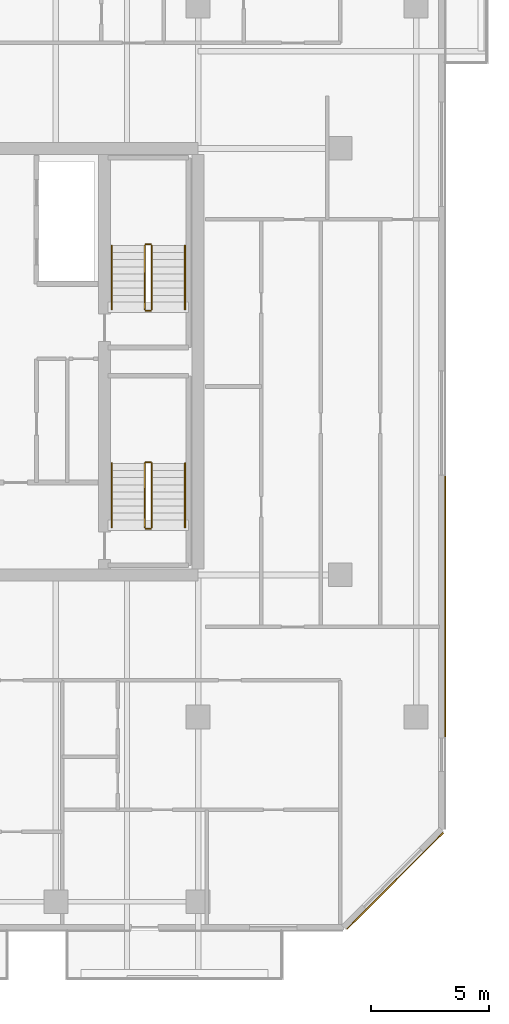
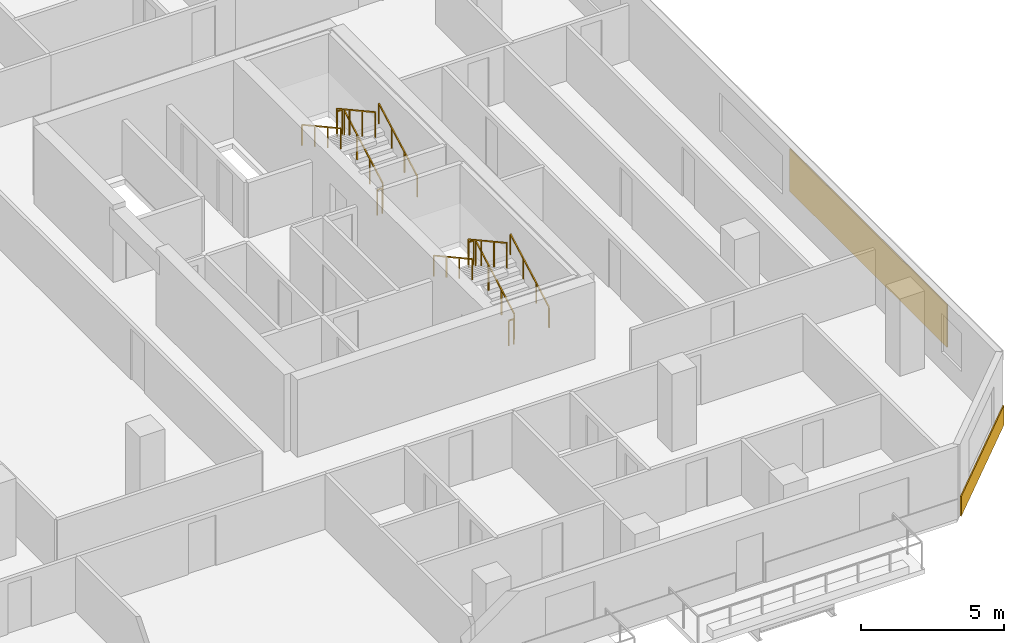
# One storey, part 22 of 23: 12 railings, 2 coverings.
"""IFC4 building model written with IfcOpenShell, lengths in metres."""

import ifcopenshell
import ifcopenshell.guid

model = None  # the IFC model being written
_history = None  # IfcOwnerHistory: only IFC2X3 demands one
_inside = {}  # id of a spatial element -> (the spatial element, [elements in it])
_under = {}  # id of a project, library or spatial element -> (it, [spatial elements below it])
_declared = {}  # id of a project -> (the project, [libraries it declares])
_typed = {}  # id of a type object -> (the type object, [elements of that type])
_made_of = {}  # id of a material, layer set ... -> (it, [elements and type objects made of it])


def new_model(schema):
    """Start an empty IFC model of exactly this schema.

    Asked for "IFC4X3", IfcOpenShell would pick the latest addendum, in which some entities
    have other attributes; the version numbers below select the first issue.
    IFC2X3 requires an IfcOwnerHistory on every rooted entity: one is made here for all.
    """
    global model, _history
    if schema == "IFC4X3":
        model = ifcopenshell.file(schema_version=(4, 3, 0, 0))
    else:
        model = ifcopenshell.file(schema=schema)
    _inside.clear()
    _under.clear()
    _declared.clear()
    _typed.clear()
    _made_of.clear()
    _history = None
    if model.schema == "IFC2X3":
        org = make("IfcOrganization", Name="unknown")
        user = make(
            "IfcPersonAndOrganization",
            ThePerson=make("IfcPerson", FamilyName="unknown"),
            TheOrganization=org,
        )
        app = make(
            "IfcApplication",
            ApplicationDeveloper=org,
            Version="unknown",
            ApplicationFullName="unknown",
            ApplicationIdentifier="unknown",
        )
        _history = make(
            "IfcOwnerHistory",
            OwningUser=user,
            OwningApplication=app,
            ChangeAction="ADDED",
            CreationDate=0,
        )
    return model


def make(cls, **values):
    """One entity of the class cls with the attributes given. An attribute that is None is left unset."""
    return model.create_entity(
        cls, **{name: value for name, value in values.items() if value is not None}
    )


def rooted(cls, **values):
    """An entity with a GlobalId (a new one), such as an element, a storey or a relation."""
    return make(cls, GlobalId=ifcopenshell.guid.new(), OwnerHistory=_history, **values)


def si_unit(unit_type, name, prefix=None):
    """IfcSIUnit, for example si_unit("LENGTHUNIT", "METRE", prefix="MILLI")."""
    return make("IfcSIUnit", UnitType=unit_type, Prefix=prefix, Name=name)


def assignment(units):
    """IfcUnitAssignment: the units of a project."""
    return None if units is None else make("IfcUnitAssignment", Units=units)


def point(xyz):
    """IfcCartesianPoint."""
    return None if xyz is None else make("IfcCartesianPoint", Coordinates=xyz)


def direction(xyz):
    """IfcDirection."""
    return None if xyz is None else make("IfcDirection", DirectionRatios=xyz)


def frame(location, z_axis=None, x_axis=None):
    """IfcAxis2Placement3D, a coordinate frame: its origin and axes. An axis left out is left unset."""
    return make(
        "IfcAxis2Placement3D",
        Location=point(location),
        Axis=direction(z_axis),
        RefDirection=direction(x_axis),
    )


def frame_2d(location, x_axis=None):
    """IfcAxis2Placement2D, a coordinate frame in the plane: its origin and x axis."""
    return make(
        "IfcAxis2Placement2D", Location=point(location), RefDirection=direction(x_axis)
    )


def origin():
    """The frame at (0, 0, 0) with its axes left unset."""
    return frame((0.0, 0.0, 0.0))


def origin_2d():
    """The frame at (0, 0) in the plane with its x axis left unset."""
    return frame_2d((0.0, 0.0))


def place(relative_to, where):
    """IfcLocalPlacement: puts the frame where relative to a parent placement (None: the world)."""
    return make(
        "IfcLocalPlacement", PlacementRelTo=relative_to, RelativePlacement=where
    )


def context(
    kind, dimensions, precision=None, world=None, true_north=None, identifier=None
):
    """IfcGeometricRepresentationContext, for example the 3D "Model" context."""
    return make(
        "IfcGeometricRepresentationContext",
        ContextIdentifier=identifier,
        ContextType=kind,
        CoordinateSpaceDimension=dimensions,
        Precision=precision,
        WorldCoordinateSystem=world,
        TrueNorth=true_north,
    )


def subcontext(parent, identifier, kind, view, scale=None):
    """IfcGeometricRepresentationSubContext, for example "Body" below "Model"."""
    return make(
        "IfcGeometricRepresentationSubContext",
        ContextIdentifier=identifier,
        ContextType=kind,
        ParentContext=parent,
        TargetScale=scale,
        TargetView=view,
    )


def project(units=None, contexts=None):
    """IfcProject with its units and contexts."""
    return rooted(
        "IfcProject",
        Name="project",
        RepresentationContexts=contexts,
        UnitsInContext=assignment(units),
    )


def spatial(cls, under=None, at=None, **own):
    """A site, building, storey or space (cls), placed at a placement, below another one or the project."""
    s = rooted(cls, ObjectPlacement=at, **own)
    if under is not None:
        _under.setdefault(under.id(), (under, []))[1].append(s)
    return s


def profile(cls, at=None, kind="AREA", **sizes):
    """A parametric profile (cls). Its sizes go by their IFC names, for example OverallWidth=200.0."""
    return make(cls, ProfileType=kind, Position=at, **sizes)


def rectangle(**sizes):
    """IfcRectangleProfileDef."""
    return profile("IfcRectangleProfileDef", **sizes)


def extrude(swept, where, along, depth):
    """IfcExtrudedAreaSolid: the profile swept, set in the frame where, extruded along a direction by depth."""
    return make(
        "IfcExtrudedAreaSolid",
        SweptArea=swept,
        Position=where,
        ExtrudedDirection=direction(along),
        Depth=depth,
    )


def shape(context_of_items, identifier, shape_type, items):
    """IfcShapeRepresentation: the items that make up one representation, for example the "Body"."""
    return make(
        "IfcShapeRepresentation",
        ContextOfItems=context_of_items,
        RepresentationIdentifier=identifier,
        RepresentationType=shape_type,
        Items=items,
    )


def material(Name=None, Category=None):
    """IfcMaterial."""
    return make("IfcMaterial", Name=Name, Category=Category)


def layer(
    of_material, thickness, ventilated=None, Name=None, Category=None, Priority=None
):
    """IfcMaterialLayer: one layer of a wall or slab, of a material (None: an air gap)."""
    return make(
        "IfcMaterialLayer",
        Material=of_material,
        LayerThickness=thickness,
        IsVentilated=ventilated,
        Name=Name,
        Category=Category,
        Priority=Priority,
    )


def layer_set(layers, Name=None):
    """IfcMaterialLayerSet."""
    return make("IfcMaterialLayerSet", MaterialLayers=layers, LayerSetName=Name)


def made_of(thing, what):
    """Note that an element or type object is made of a material, layer set ...; save() writes the relation."""
    if what is not None:
        _made_of.setdefault(what.id(), (what, []))[1].append(thing)
    return thing


def type_object(cls, material=None, **own):
    """A type object (cls), such as IfcWallType, which elements share."""
    return made_of(rooted(cls, **own), material)


def element(
    cls,
    number,
    at=None,
    inside=None,
    cuts=None,
    type_object=None,
    material=None,
    context=None,
    identifier="Body",
    shape_type=None,
    held_by="IfcProductDefinitionShape",
    body=None,
    shapes=None,
    **own,
):
    """One element of the class cls, such as IfcWall. Its Tag is "e" and its number.

    at: its placement. inside: the storey or other place that contains it. cuts: it is an
    opening in that element (IfcRelVoidsElement). A single representation is given by context,
    identifier, shape_type and body (its items); several are given by shapes. held_by: the class
    of the entity that holds the representations. save() writes the other relations.
    """
    e = rooted(cls, Tag="e%d" % number, ObjectPlacement=at, **own)
    if body is not None:
        shapes = [shape(context, identifier, shape_type, body)]
    if shapes is not None:
        e.Representation = make(held_by, Representations=shapes)
    if inside is not None:
        _inside.setdefault(inside.id(), (inside, []))[1].append(e)
    if cuts is not None:
        rooted(
            "IfcRelVoidsElement", RelatingBuildingElement=cuts, RelatedOpeningElement=e
        )
    if type_object is not None:
        _typed.setdefault(type_object.id(), (type_object, []))[1].append(e)
    return made_of(e, material)


def aggregate(whole, parts):
    """IfcRelAggregates: a whole, such as a stair, and the parts it consists of."""
    return rooted("IfcRelAggregates", RelatingObject=whole, RelatedObjects=parts)


def save(model, path):
    """Write the relations noted so far, then the file.

    IfcRelAggregates (storeys below a building ...), IfcRelContainedInSpatialStructure (elements
    in a storey), IfcRelDefinesByType, IfcRelAssociatesMaterial and IfcRelDeclares: one each for
    every whole, place, type object, material and project.
    """
    for whole, parts in _under.values():
        aggregate(whole, parts)
    for where, things in _inside.values():
        rooted(
            "IfcRelContainedInSpatialStructure",
            RelatedElements=things,
            RelatingStructure=where,
        )
    for kind, things in _typed.values():
        rooted("IfcRelDefinesByType", RelatedObjects=things, RelatingType=kind)
    for what, things in _made_of.values():
        rooted("IfcRelAssociatesMaterial", RelatedObjects=things, RelatingMaterial=what)
    for by, libraries in _declared.values():
        rooted("IfcRelDeclares", RelatingContext=by, RelatedDefinitions=libraries)
    model.write(path)


model = new_model("IFC4")

# Units and contexts
model_context = context("Model", 3, precision=1e-05, world=origin(), true_north=direction((0.0, 1.0)))
body_context = subcontext(model_context, "Body", "Model", "MODEL_VIEW")
ifc_project = project(units=[si_unit("LENGTHUNIT", "METRE"), si_unit("AREAUNIT", "SQUARE_METRE"), si_unit("VOLUMEUNIT", "CUBIC_METRE"), si_unit("PLANEANGLEUNIT", "RADIAN"), si_unit("MASSUNIT", "GRAM", prefix="KILO")], contexts=[model_context])

# Site, building, storey
site_placement = place(None, origin())
site = spatial("IfcSite", under=ifc_project, at=site_placement, CompositionType="ELEMENT")
building_placement = place(site_placement, origin())
building = spatial("IfcBuilding", under=site, at=building_placement, Name="Tanjung Sevakor Pilgrim Tower", CompositionType="ELEMENT")
storey_placement = place(building_placement, frame((0.0, 0.0, 88.77001953125)))
storey = spatial("IfcBuildingStorey", under=building, at=storey_placement, Name="L24", CompositionType="ELEMENT", Elevation=88.77001953125)

# Coverings
ifc_material_1 = material(Name="Reconstructed Limestone Cladding", Category="masonry")
ifc_layer = layer(ifc_material_1, 0.044921875)
ifc_layer_set = layer_set([ifc_layer], Name="COV-CLAD-LIMESTONE")
covering_type = type_object("IfcCoveringType", Name="COV-CLAD-LIMESTONE", PredefinedType="CLADDING", material=ifc_layer_set)
covering_1_placement = place(storey_placement, frame((98.31591796875, 11.68408203125, 0.009765625), z_axis=(0.0, 0.0, 1.0), x_axis=(0.707106781187, 0.707106781187, 0.0)))
element("IfcCovering", 1, at=covering_1_placement, inside=storey, type_object=covering_type, Name="L24 Warm Limestone Sill Spandrel EW-CHM-L24-MAIN-5-1", PredefinedType="CLADDING", context=body_context, shape_type="SweptSolid", body=[
    extrude(rectangle(XDim=5.756103515625, YDim=0.044921875, at=origin_2d()), origin(), (0.0, 0.0, 1.0), 0.840087890625),
])
covering_2_placement = place(storey_placement, frame((100.422607421875, 23.258056640625, 0.849853515625), z_axis=(0.0, 0.0, 1.0), x_axis=(0.0, 1.0, 0.0)))
element("IfcCovering", 2, at=covering_2_placement, inside=storey, type_object=covering_type, Name="L24 Warm Limestone Pier Panel EW-L24-MAIN-7-1", PredefinedType="CLADDING", context=body_context, shape_type="SweptSolid", body=[
    extrude(rectangle(XDim=11.004150390625, YDim=0.044921875, at=origin_2d()), origin(), (0.0, 0.0, 1.0), 1.81005859375),
])

# Railings
ifc_material_2 = material(Name="Steel S355J2", Category="steel")
railing_type_1 = type_object("IfcRailingType", Name="RL-STAIR-GUARD", PredefinedType="GUARDRAIL", material=ifc_material_2)
railing_1_placement = place(storey_placement, frame((88.050048828125, 26.60009765625, 0.1650390625)))
element("IfcRailing", 3, at=railing_1_placement, inside=storey, type_object=railing_type_1, Name="L24 TS-E1 stair guard 1", PredefinedType="GUARDRAIL", context=body_context, shape_type="SweptSolid", body=[
    extrude(rectangle(XDim=0.0479, YDim=0.0479), frame((0.0, 0.0, 1.076171875), z_axis=(0.0, 0.876230963923, 0.481891375584), x_axis=(-1.0, 0.0, 0.0)), (0.0, 0.0, 1.0), 3.081298828125),
    extrude(rectangle(XDim=0.042, YDim=0.042), origin(), (0.0, 0.0, 1.0), 1.052001953125),
    extrude(rectangle(XDim=0.042, YDim=0.042), frame((0.0, 0.89990234375, 0.494873046875)), (0.0, 0.0, 1.0), 1.052001953125),
    extrude(rectangle(XDim=0.042, YDim=0.042), frame((0.0, 1.800048828125, 0.989990234375)), (0.0, 0.0, 1.0), 1.052001953125),
    extrude(rectangle(XDim=0.042, YDim=0.042), frame((0.0, 2.699951171875, 1.48486328125)), (0.0, 0.0, 1.0), 1.052001953125),
])
railing_2_placement = place(storey_placement, frame((88.0, 29.35009765625, 1.64990234375)))
element("IfcRailing", 4, at=railing_2_placement, inside=storey, type_object=railing_type_1, Name="L24 TS-E1 stair guard 2", PredefinedType="GUARDRAIL", context=body_context, shape_type="SweptSolid", body=[
    extrude(rectangle(XDim=0.0479, YDim=0.0479), frame((0.0, 0.0, 1.076171875), z_axis=(-1.0, 0.0, 0.0), x_axis=(0.0, -1.0, 0.0)), (0.0, 0.0, 1.0), 0.199951171875),
    extrude(rectangle(XDim=0.042, YDim=0.042), origin(), (0.0, 0.0, 1.0), 1.052001953125),
    extrude(rectangle(XDim=0.042, YDim=0.042), frame((-0.199951171875, 0.0, 0.0)), (0.0, 0.0, 1.0), 1.052001953125),
])
railing_3_placement = place(storey_placement, frame((87.75, 29.300048828125, 1.81494140625)))
element("IfcRailing", 5, at=railing_3_placement, inside=storey, type_object=railing_type_1, Name="L24 TS-E1 stair guard 3", PredefinedType="GUARDRAIL", context=body_context, shape_type="SweptSolid", body=[
    extrude(rectangle(XDim=0.0479, YDim=0.0479), frame((0.0, 0.0, 1.076171875), z_axis=(0.0, -0.876197507361, 0.481952205197), x_axis=(1.0, 0.0, 0.0)), (0.0, 0.0, 1.0), 3.08154296875),
    extrude(rectangle(XDim=0.042, YDim=0.042), origin(), (0.0, 0.0, 1.0), 1.052001953125),
    extrude(rectangle(XDim=0.042, YDim=0.042), frame((0.0, -0.89990234375, 0.4951171875)), (0.0, 0.0, 1.0), 1.052001953125),
    extrude(rectangle(XDim=0.042, YDim=0.042), frame((0.0, -1.800048828125, 0.989990234375)), (0.0, 0.0, 1.0), 1.052001953125),
    extrude(rectangle(XDim=0.042, YDim=0.042), frame((0.0, -2.699951171875, 1.485107421875)), (0.0, 0.0, 1.0), 1.052001953125),
])
railing_4_placement = place(storey_placement, frame((88.0, 26.550048828125, 0.0)))
element("IfcRailing", 6, at=railing_4_placement, inside=storey, type_object=railing_type_1, Name="L24 TS-E1 stair guard 4", PredefinedType="GUARDRAIL", context=body_context, shape_type="SweptSolid", body=[
    extrude(rectangle(XDim=0.0479, YDim=0.0479), frame((0.0, 0.0, 1.076171875), z_axis=(-1.0, 0.0, 0.0), x_axis=(0.0, -1.0, 0.0)), (0.0, 0.0, 1.0), 0.199951171875),
    extrude(rectangle(XDim=0.042, YDim=0.042), origin(), (0.0, 0.0, 1.0), 1.052001953125),
    extrude(rectangle(XDim=0.042, YDim=0.042), frame((-0.199951171875, 0.0, 0.0)), (0.0, 0.0, 1.0), 1.052001953125),
])
railing_5_placement = place(storey_placement, frame((88.050048828125, 35.800048828125, 0.1650390625)))
element("IfcRailing", 7, at=railing_5_placement, inside=storey, type_object=railing_type_1, Name="L24 TS-E2 stair guard 1", PredefinedType="GUARDRAIL", context=body_context, shape_type="SweptSolid", body=[
    extrude(rectangle(XDim=0.0479, YDim=0.0479), frame((0.0, 0.0, 1.076171875), z_axis=(0.0, 0.876230963923, 0.481891375584), x_axis=(-1.0, 0.0, 0.0)), (0.0, 0.0, 1.0), 3.081298828125),
    extrude(rectangle(XDim=0.042, YDim=0.042), origin(), (0.0, 0.0, 1.0), 1.052001953125),
    extrude(rectangle(XDim=0.042, YDim=0.042), frame((0.0, 0.89990234375, 0.494873046875)), (0.0, 0.0, 1.0), 1.052001953125),
    extrude(rectangle(XDim=0.042, YDim=0.042), frame((0.0, 1.800048828125, 0.989990234375)), (0.0, 0.0, 1.0), 1.052001953125),
    extrude(rectangle(XDim=0.042, YDim=0.042), frame((0.0, 2.699951171875, 1.48486328125)), (0.0, 0.0, 1.0), 1.052001953125),
])
railing_6_placement = place(storey_placement, frame((88.0, 38.550048828125, 1.64990234375)))
element("IfcRailing", 8, at=railing_6_placement, inside=storey, type_object=railing_type_1, Name="L24 TS-E2 stair guard 2", PredefinedType="GUARDRAIL", context=body_context, shape_type="SweptSolid", body=[
    extrude(rectangle(XDim=0.0479, YDim=0.0479), frame((0.0, 0.0, 1.076171875), z_axis=(-1.0, 0.0, 0.0), x_axis=(0.0, -1.0, 0.0)), (0.0, 0.0, 1.0), 0.199951171875),
    extrude(rectangle(XDim=0.042, YDim=0.042), origin(), (0.0, 0.0, 1.0), 1.052001953125),
    extrude(rectangle(XDim=0.042, YDim=0.042), frame((-0.199951171875, 0.0, 0.0)), (0.0, 0.0, 1.0), 1.052001953125),
])
railing_7_placement = place(storey_placement, frame((87.75, 38.5, 1.81494140625)))
element("IfcRailing", 9, at=railing_7_placement, inside=storey, type_object=railing_type_1, Name="L24 TS-E2 stair guard 3", PredefinedType="GUARDRAIL", context=body_context, shape_type="SweptSolid", body=[
    extrude(rectangle(XDim=0.0479, YDim=0.0479), frame((0.0, 0.0, 1.076171875), z_axis=(0.0, -0.876197507361, 0.481952205197), x_axis=(1.0, 0.0, 0.0)), (0.0, 0.0, 1.0), 3.08154296875),
    extrude(rectangle(XDim=0.042, YDim=0.042), origin(), (0.0, 0.0, 1.0), 1.052001953125),
    extrude(rectangle(XDim=0.042, YDim=0.042), frame((0.0, -0.89990234375, 0.4951171875)), (0.0, 0.0, 1.0), 1.052001953125),
    extrude(rectangle(XDim=0.042, YDim=0.042), frame((0.0, -1.800048828125, 0.989990234375)), (0.0, 0.0, 1.0), 1.052001953125),
    extrude(rectangle(XDim=0.042, YDim=0.042), frame((0.0, -2.699951171875, 1.485107421875)), (0.0, 0.0, 1.0), 1.052001953125),
])
railing_8_placement = place(storey_placement, frame((88.0, 35.75, 0.0)))
element("IfcRailing", 10, at=railing_8_placement, inside=storey, type_object=railing_type_1, Name="L24 TS-E2 stair guard 4", PredefinedType="GUARDRAIL", context=body_context, shape_type="SweptSolid", body=[
    extrude(rectangle(XDim=0.0479, YDim=0.0479), frame((0.0, 0.0, 1.076171875), z_axis=(-1.0, 0.0, 0.0), x_axis=(0.0, -1.0, 0.0)), (0.0, 0.0, 1.0), 0.199951171875),
    extrude(rectangle(XDim=0.042, YDim=0.042), origin(), (0.0, 0.0, 1.0), 1.052001953125),
    extrude(rectangle(XDim=0.042, YDim=0.042), frame((-0.199951171875, 0.0, 0.0)), (0.0, 0.0, 1.0), 1.052001953125),
])
ifc_material_3 = material(Name="Steel S355J2", Category="steel")
railing_type_2 = type_object("IfcRailingType", Name="RL-STAIR-HAND", PredefinedType="HANDRAIL", material=ifc_material_3)
railing_9_placement = place(storey_placement, frame((89.449951171875, 26.60009765625, 0.1650390625)))
element("IfcRailing", 11, at=railing_9_placement, inside=storey, type_object=railing_type_2, Name="L24 TS-E1 stair handrail 1", PredefinedType="HANDRAIL", context=body_context, shape_type="SweptSolid", body=[
    extrude(rectangle(XDim=0.0479, YDim=0.0479), frame((0.0, 0.0, 0.8759765625), z_axis=(0.0, 0.876230963923, 0.481891375584), x_axis=(-1.0, 0.0, 0.0)), (0.0, 0.0, 1.0), 3.081298828125),
    extrude(rectangle(XDim=0.042, YDim=0.042), origin(), (0.0, 0.0, 1.0), 0.851806640625),
    extrude(rectangle(XDim=0.042, YDim=0.042), frame((0.0, 0.89990234375, 0.494873046875)), (0.0, 0.0, 1.0), 0.851806640625),
    extrude(rectangle(XDim=0.042, YDim=0.042), frame((0.0, 1.800048828125, 0.989990234375)), (0.0, 0.0, 1.0), 0.851806640625),
    extrude(rectangle(XDim=0.042, YDim=0.042), frame((0.0, 2.699951171875, 1.48486328125)), (0.0, 0.0, 1.0), 0.851806640625),
])
railing_10_placement = place(storey_placement, frame((86.35009765625, 29.300048828125, 1.81494140625)))
element("IfcRailing", 12, at=railing_10_placement, inside=storey, type_object=railing_type_2, Name="L24 TS-E1 stair handrail 2", PredefinedType="HANDRAIL", context=body_context, shape_type="SweptSolid", body=[
    extrude(rectangle(XDim=0.0479, YDim=0.0479), frame((0.0, 0.0, 0.8759765625), z_axis=(0.0, -0.876197507361, 0.481952205197), x_axis=(1.0, 0.0, 0.0)), (0.0, 0.0, 1.0), 3.08154296875),
    extrude(rectangle(XDim=0.042, YDim=0.042), origin(), (0.0, 0.0, 1.0), 0.851806640625),
    extrude(rectangle(XDim=0.042, YDim=0.042), frame((0.0, -0.89990234375, 0.4951171875)), (0.0, 0.0, 1.0), 0.851806640625),
    extrude(rectangle(XDim=0.042, YDim=0.042), frame((0.0, -1.800048828125, 0.989990234375)), (0.0, 0.0, 1.0), 0.851806640625),
    extrude(rectangle(XDim=0.042, YDim=0.042), frame((0.0, -2.699951171875, 1.485107421875)), (0.0, 0.0, 1.0), 0.851806640625),
])
railing_11_placement = place(storey_placement, frame((89.449951171875, 35.800048828125, 0.1650390625)))
element("IfcRailing", 13, at=railing_11_placement, inside=storey, type_object=railing_type_2, Name="L24 TS-E2 stair handrail 1", PredefinedType="HANDRAIL", context=body_context, shape_type="SweptSolid", body=[
    extrude(rectangle(XDim=0.0479, YDim=0.0479), frame((0.0, 0.0, 0.8759765625), z_axis=(0.0, 0.876230963923, 0.481891375584), x_axis=(-1.0, 0.0, 0.0)), (0.0, 0.0, 1.0), 3.081298828125),
    extrude(rectangle(XDim=0.042, YDim=0.042), origin(), (0.0, 0.0, 1.0), 0.851806640625),
    extrude(rectangle(XDim=0.042, YDim=0.042), frame((0.0, 0.89990234375, 0.494873046875)), (0.0, 0.0, 1.0), 0.851806640625),
    extrude(rectangle(XDim=0.042, YDim=0.042), frame((0.0, 1.800048828125, 0.989990234375)), (0.0, 0.0, 1.0), 0.851806640625),
    extrude(rectangle(XDim=0.042, YDim=0.042), frame((0.0, 2.699951171875, 1.48486328125)), (0.0, 0.0, 1.0), 0.851806640625),
])
railing_12_placement = place(storey_placement, frame((86.35009765625, 38.5, 1.81494140625)))
element("IfcRailing", 14, at=railing_12_placement, inside=storey, type_object=railing_type_2, Name="L24 TS-E2 stair handrail 2", PredefinedType="HANDRAIL", context=body_context, shape_type="SweptSolid", body=[
    extrude(rectangle(XDim=0.0479, YDim=0.0479), frame((0.0, 0.0, 0.8759765625), z_axis=(0.0, -0.876197507361, 0.481952205197), x_axis=(1.0, 0.0, 0.0)), (0.0, 0.0, 1.0), 3.08154296875),
    extrude(rectangle(XDim=0.042, YDim=0.042), origin(), (0.0, 0.0, 1.0), 0.851806640625),
    extrude(rectangle(XDim=0.042, YDim=0.042), frame((0.0, -0.89990234375, 0.4951171875)), (0.0, 0.0, 1.0), 0.851806640625),
    extrude(rectangle(XDim=0.042, YDim=0.042), frame((0.0, -1.800048828125, 0.989990234375)), (0.0, 0.0, 1.0), 0.851806640625),
    extrude(rectangle(XDim=0.042, YDim=0.042), frame((0.0, -2.699951171875, 1.485107421875)), (0.0, 0.0, 1.0), 0.851806640625),
])

save(model, "model.ifc")
